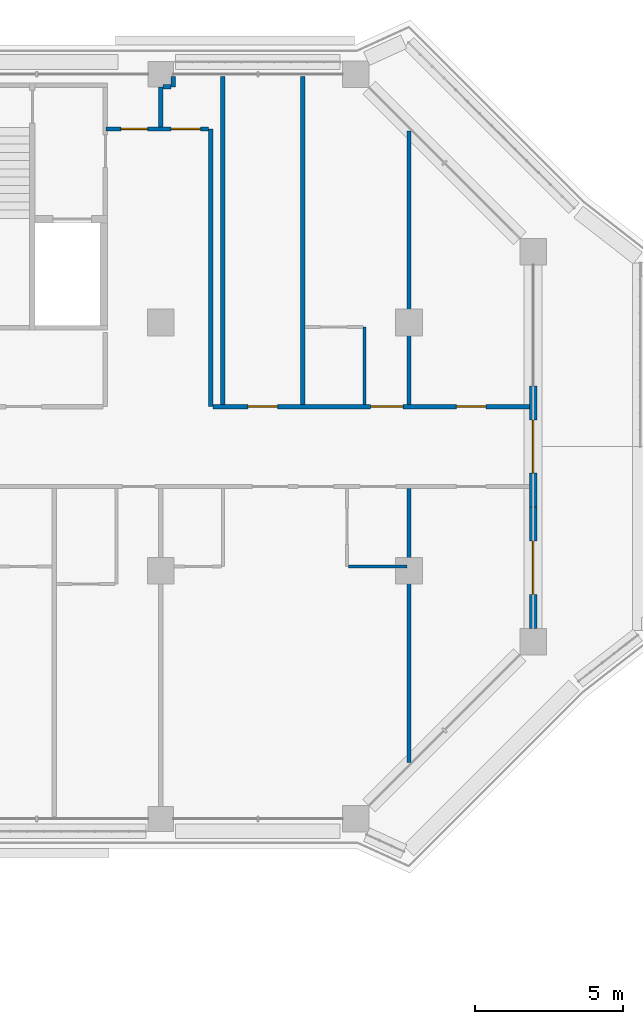
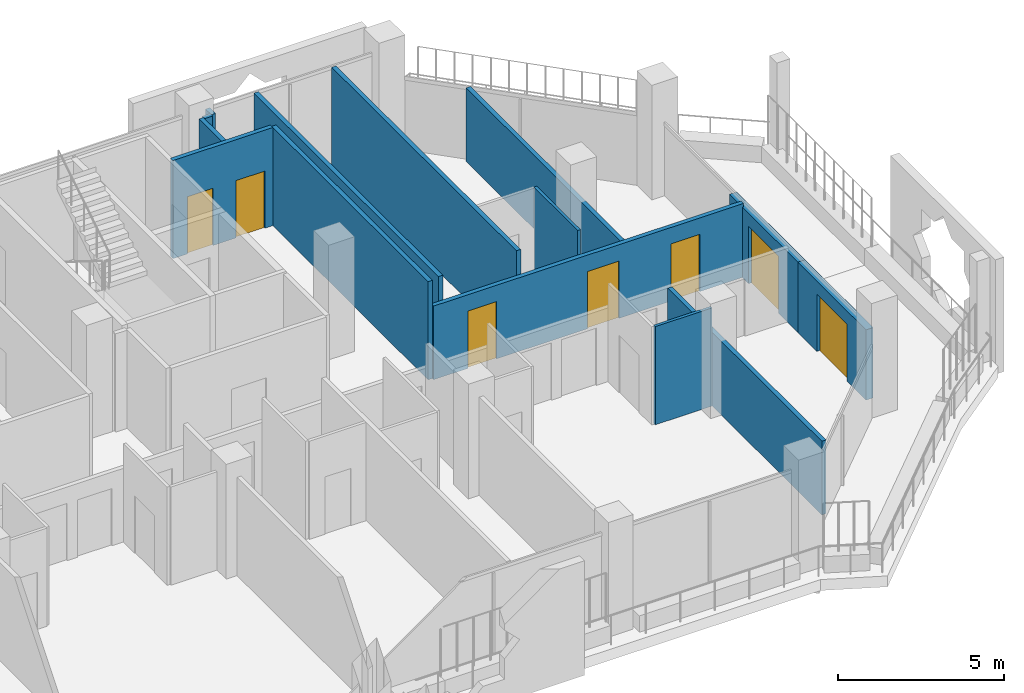
# One storey, part 14 of 23: 14 walls, 7 doors, 7 openings.
"""IFC4 building model written with IfcOpenShell, lengths in metres."""

from ifc_helpers import new_model, si_unit, direction, frame, frame_2d, origin, place, context, subcontext, project, spatial, rectangle, extrude, material, layer, layer_set, type_object, element, fill, save


model = new_model("IFC4")

# Units and contexts
model_context = context("Model", 3, precision=1e-05, world=origin(), true_north=direction((0.0, 1.0)))
body_context = subcontext(model_context, "Body", "Model", "MODEL_VIEW")
ifc_project = project(units=[si_unit("LENGTHUNIT", "METRE"), si_unit("AREAUNIT", "SQUARE_METRE"), si_unit("VOLUMEUNIT", "CUBIC_METRE"), si_unit("PLANEANGLEUNIT", "RADIAN"), si_unit("MASSUNIT", "GRAM", prefix="KILO")], contexts=[model_context])

# Site, building, storey
site_placement = place(None, origin())
site = spatial("IfcSite", under=ifc_project, at=site_placement, CompositionType="ELEMENT")
building_placement = place(site_placement, origin())
building = spatial("IfcBuilding", under=site, at=building_placement, Name="Kawkab Arch Medical Tower", CompositionType="ELEMENT")
storey_placement = place(building_placement, frame((0.0, 0.0, 247.39990234375)))
storey = spatial("IfcBuildingStorey", under=building, at=storey_placement, Name="L57", CompositionType="ELEMENT", Elevation=247.39990234375)

# Wall, opening, door
ifc_material_1 = material(Name="Bronze clad insulated wall panel")
ifc_layer_1 = layer(ifc_material_1, 0.25)
ifc_layer_set_1 = layer_set([ifc_layer_1], Name="Bronze clad insulated wall panel")
wall_type_1 = type_object("IfcWallType", Name="External wall bay 250", PredefinedType="SOLIDWALL", material=ifc_layer_set_1)
wall_1_placement = place(storey_placement, frame((63.0, -18.75, 0.0), z_axis=(0.0, 0.0, 1.0), x_axis=(0.0, 1.0, 0.0)))
wall_1 = element("IfcWall", 1, at=wall_1_placement, inside=storey, type_object=wall_type_1, Name="External wall bay L57.R09.1.1", PredefinedType="SOLIDWALL", context=body_context, shape_type="SweptSolid", body=[
    extrude(rectangle(XDim=4.10009765625, YDim=0.25, at=frame_2d((2.050048828125, 0.0))), origin(), (0.0, 0.0, 1.0), 2.580078125),
])
opening_1_placement = place(wall_1_placement, frame((1.14990234375, 0.0, 0.0)))
opening_1 = element("IfcOpeningElement", 2, at=opening_1_placement, cuts=wall_1, Name="Opening W57-702", PredefinedType="OPENING", context=body_context, shape_type="SweptSolid", body=[
    extrude(rectangle(XDim=1.800048828125, YDim=2.10009765625, at=frame_2d((0.89990234375, 1.050048828125))), frame((0.0, 0.135009765625, 0.0), z_axis=(0.0, -1.0, 0.0), x_axis=(1.0, 0.0, 0.0)), (0.0, 0.0, 1.0), 0.27001953125),
])
ifc_material_2 = material(Name="Bronze anodised aluminium door with tinted glass", Category="aluminium")
door_type_1 = type_object("IfcDoorType", Name="Double external door 1800 x 2100", OperationType="DOUBLE_DOOR_SINGLE_SWING", PredefinedType="DOOR", material=ifc_material_2)
door_1_placement = place(opening_1_placement, origin())
door_1 = element("IfcDoor", 3, at=door_1_placement, inside=storey, type_object=door_type_1, Name="External door L57.R09.1.1", OperationType="DOUBLE_DOOR_SINGLE_SWING", OverallHeight=2.10009765625, OverallWidth=1.800048828125, PredefinedType="DOOR", context=body_context, shape_type="SweptSolid", body=[
    extrude(rectangle(XDim=1.800048828125, YDim=2.10009765625, at=frame_2d((0.89990234375, 1.050048828125))), frame((0.0, 0.02490234375, 0.0), z_axis=(0.0, -1.0, 0.0), x_axis=(1.0, 0.0, 0.0)), (0.0, 0.0, 1.0), 0.050048828125),
])
fill(opening_1, door_1)

wall_2_placement = place(storey_placement, frame((63.0, -14.64990234375, 0.0), z_axis=(0.0, 0.0, 1.0), x_axis=(0.0, 1.0, 0.0)))
wall_2 = element("IfcWall", 4, at=wall_2_placement, inside=storey, type_object=wall_type_1, Name="External wall bay L57.R09.1.2", PredefinedType="SOLIDWALL", context=body_context, shape_type="SweptSolid", body=[
    extrude(rectangle(XDim=4.099853515625, YDim=0.25, at=frame_2d((2.0498046875, 0.0))), origin(), (0.0, 0.0, 1.0), 2.580078125),
])
opening_2_placement = place(wall_2_placement, frame((1.14990234375, 0.0, 0.0)))
opening_2 = element("IfcOpeningElement", 5, at=opening_2_placement, cuts=wall_2, Name="Opening W57-702", PredefinedType="OPENING", context=body_context, shape_type="SweptSolid", body=[
    extrude(rectangle(XDim=1.800048828125, YDim=2.10009765625, at=frame_2d((0.89990234375, 1.050048828125))), frame((0.0, 0.135009765625, 0.0), z_axis=(0.0, -1.0, 0.0), x_axis=(1.0, 0.0, 0.0)), (0.0, 0.0, 1.0), 0.27001953125),
])
door_2_placement = place(opening_2_placement, origin())
door_2 = element("IfcDoor", 6, at=door_2_placement, inside=storey, type_object=door_type_1, Name="External door L57.R09.1.2", OperationType="DOUBLE_DOOR_SINGLE_SWING", OverallHeight=2.10009765625, OverallWidth=1.800048828125, PredefinedType="DOOR", context=body_context, shape_type="SweptSolid", body=[
    extrude(rectangle(XDim=1.800048828125, YDim=2.10009765625, at=frame_2d((0.89990234375, 1.050048828125))), frame((0.0, 0.02490234375, 0.0), z_axis=(0.0, -1.0, 0.0), x_axis=(1.0, 0.0, 0.0)), (0.0, 0.0, 1.0), 0.050048828125),
])
fill(opening_2, door_2)

# Walls
ifc_material_3 = material(Name="Gypsum board partition on steel studs", Category="steel")
ifc_layer_2 = layer(ifc_material_3, 0.10009765625)
ifc_layer_set_2 = layer_set([ifc_layer_2], Name="Gypsum board partition on steel studs")
wall_type_2 = type_object("IfcWallType", Name="Partition 100", PredefinedType="PARTITIONING", material=ifc_layer_set_2)
wall_3_placement = place(storey_placement, frame((56.75, -16.64990234375, 0.0), z_axis=(0.0, 0.0, 1.0), x_axis=(1.0, 0.0, 0.0)))
element("IfcWall", 7, at=wall_3_placement, inside=storey, type_object=wall_type_2, Name="Partition 100 w006", PredefinedType="PARTITIONING", context=body_context, shape_type="SweptSolid", body=[
    extrude(rectangle(XDim=1.97509765625, YDim=0.10009765625, at=frame_2d((0.987548828125, 0.0))), origin(), (0.0, 0.0, 1.0), 3.60009765625),
])
wall_4_placement = place(storey_placement, frame((57.300048828125, -11.175048828125, 0.0), z_axis=(0.0, 0.0, 1.0), x_axis=(0.0, 1.0, 0.0)))
element("IfcWall", 8, at=wall_4_placement, inside=storey, type_object=wall_type_2, Name="Partition 100 w018", PredefinedType="PARTITIONING", context=body_context, shape_type="SweptSolid", body=[
    extrude(rectangle(XDim=2.625, YDim=0.10009765625, at=frame_2d((1.3125, 0.0))), origin(), (0.0, 0.0, 1.0), 3.60009765625),
])

# Wall, openings, doors
ifc_material_4 = material(Name="Gypsum board partition on steel studs, mineral wool", Category="steel")
ifc_layer_3 = layer(ifc_material_4, 0.14990234375)
ifc_layer_set_3 = layer_set([ifc_layer_3], Name="Gypsum board partition on steel studs, mineral wool")
wall_type_3 = type_object("IfcWallType", Name="Partition 150", PredefinedType="PARTITIONING", material=ifc_layer_set_3)
wall_5_placement = place(storey_placement, frame((52.16796875, -11.25, 0.0), z_axis=(0.0, 0.0, 1.0), x_axis=(1.0, 0.0, 0.0)))
wall_5 = element("IfcWall", 9, at=wall_5_placement, inside=storey, type_object=wall_type_3, Name="Partition 150 w036", PredefinedType="PARTITIONING", context=body_context, shape_type="SweptSolid", body=[
    extrude(rectangle(XDim=10.751953125, YDim=0.14990234375, at=frame_2d((5.3759765625, 0.0))), origin(), (0.0, 0.0, 1.0), 2.7001953125),
])
opening_3_placement = place(wall_5_placement, frame((5.33203125, 0.0, 0.0)))
opening_3 = element("IfcOpeningElement", 10, at=opening_3_placement, cuts=wall_5, Name="Opening W57-019", PredefinedType="OPENING", context=body_context, shape_type="SweptSolid", body=[
    extrude(rectangle(XDim=1.10009765625, YDim=2.10009765625, at=frame_2d((0.550048828125, 1.050048828125))), frame((0.0, 0.0849609375, 0.0), z_axis=(0.0, -1.0, 0.0), x_axis=(1.0, 0.0, 0.0)), (0.0, 0.0, 1.0), 0.169921875),
])
opening_4_placement = place(wall_5_placement, frame((8.23193359375, 0.0, 0.0)))
opening_4 = element("IfcOpeningElement", 11, at=opening_4_placement, cuts=wall_5, Name="Opening W57-011", PredefinedType="OPENING", context=body_context, shape_type="SweptSolid", body=[
    extrude(rectangle(XDim=1.0, YDim=2.10009765625, at=frame_2d((0.5, 1.050048828125))), frame((0.0, 0.0849609375, 0.0), z_axis=(0.0, -1.0, 0.0), x_axis=(1.0, 0.0, 0.0)), (0.0, 0.0, 1.0), 0.169921875),
])
opening_5_placement = place(wall_5_placement, frame((1.181884765625, 0.0, 0.0)))
opening_5 = element("IfcOpeningElement", 12, at=opening_5_placement, cuts=wall_5, Name="Opening W57-018", PredefinedType="OPENING", context=body_context, shape_type="SweptSolid", body=[
    extrude(rectangle(XDim=1.0, YDim=2.10009765625, at=frame_2d((0.5, 1.050048828125))), frame((0.0, 0.0849609375, 0.0), z_axis=(0.0, -1.0, 0.0), x_axis=(1.0, 0.0, 0.0)), (0.0, 0.0, 1.0), 0.169921875),
])
ifc_material_5 = material(Name="Hollow metal door leaf")
door_type_2 = type_object("IfcDoorType", Name="Single door 1000x2100 FD30S", OperationType="NOTDEFINED", PredefinedType="DOOR", material=ifc_material_5)
door_3_placement = place(opening_4_placement, origin())
door_3 = element("IfcDoor", 13, at=door_3_placement, inside=storey, type_object=door_type_2, Name="Door W57-011", OperationType="SINGLE_SWING_RIGHT", OverallHeight=2.10009765625, OverallWidth=1.0, PredefinedType="DOOR", context=body_context, shape_type="SweptSolid", body=[
    extrude(rectangle(XDim=1.0, YDim=2.10009765625, at=frame_2d((0.5, 1.050048828125))), frame((0.0, 0.02490234375, 0.0), z_axis=(0.0, -1.0, 0.0), x_axis=(1.0, 0.0, 0.0)), (0.0, 0.0, 1.0), 0.050048828125),
])
fill(opening_4, door_3)
door_4_placement = place(opening_5_placement, origin())
door_4 = element("IfcDoor", 14, at=door_4_placement, inside=storey, type_object=door_type_2, Name="Door W57-018", OperationType="SINGLE_SWING_LEFT", OverallHeight=2.10009765625, OverallWidth=1.0, PredefinedType="DOOR", context=body_context, shape_type="SweptSolid", body=[
    extrude(rectangle(XDim=1.0, YDim=2.10009765625, at=frame_2d((0.5, 1.050048828125))), frame((0.0, 0.02490234375, 0.0), z_axis=(0.0, -1.0, 0.0), x_axis=(1.0, 0.0, 0.0)), (0.0, 0.0, 1.0), 0.050048828125),
])
fill(opening_5, door_4)
ifc_material_6 = material(Name="Hollow metal door leaf")
door_type_3 = type_object("IfcDoorType", Name="Single door 1100x2100 FD30S", OperationType="NOTDEFINED", PredefinedType="DOOR", material=ifc_material_6)
door_5_placement = place(opening_3_placement, origin())
door_5 = element("IfcDoor", 15, at=door_5_placement, inside=storey, type_object=door_type_3, Name="Door W57-019", OperationType="SINGLE_SWING_RIGHT", OverallHeight=2.10009765625, OverallWidth=1.10009765625, PredefinedType="DOOR", context=body_context, shape_type="SweptSolid", body=[
    extrude(rectangle(XDim=1.10009765625, YDim=2.10009765625, at=frame_2d((0.550048828125, 1.050048828125))), frame((0.0, 0.02490234375, 0.0), z_axis=(0.0, -1.0, 0.0), x_axis=(1.0, 0.0, 0.0)), (0.0, 0.0, 1.0), 0.050048828125),
])
fill(opening_3, door_5)

wall_6_placement = place(storey_placement, frame((48.550048828125, -1.85009765625, 0.0), z_axis=(0.0, 0.0, 1.0), x_axis=(1.0, 0.0, 0.0)))
wall_6 = element("IfcWall", 16, at=wall_6_placement, inside=storey, type_object=wall_type_3, Name="Partition 150 w040", PredefinedType="PARTITIONING", context=body_context, shape_type="SweptSolid", body=[
    extrude(rectangle(XDim=3.466064453125, YDim=0.14990234375, at=frame_2d((1.73291015625, 0.0))), origin(), (0.0, 0.0, 1.0), 3.60009765625),
])
opening_6_placement = place(wall_6_placement, frame((0.5, 0.0, 0.0)))
opening_6 = element("IfcOpeningElement", 17, at=opening_6_placement, cuts=wall_6, Name="Opening W57-008", PredefinedType="OPENING", context=body_context, shape_type="SweptSolid", body=[
    extrude(rectangle(XDim=0.89990234375, YDim=2.10009765625, at=frame_2d((0.449951171875, 1.050048828125))), frame((0.0, 0.0849609375, 0.0), z_axis=(0.0, -1.0, 0.0), x_axis=(1.0, 0.0, 0.0)), (0.0, 0.0, 1.0), 0.169921875),
])
opening_7_placement = place(wall_6_placement, frame((2.196044921875, 0.0, 0.0)))
opening_7 = element("IfcOpeningElement", 18, at=opening_7_placement, cuts=wall_6, Name="Opening W57-009", PredefinedType="OPENING", context=body_context, shape_type="SweptSolid", body=[
    extrude(rectangle(XDim=1.0, YDim=2.10009765625, at=frame_2d((0.5, 1.050048828125))), frame((0.0, 0.0849609375, 0.0), z_axis=(0.0, -1.0, 0.0), x_axis=(1.0, 0.0, 0.0)), (0.0, 0.0, 1.0), 0.169921875),
])
ifc_material_7 = material(Name="Timber door leaf", Category="wood")
door_type_4 = type_object("IfcDoorType", Name="Single door 1000x2100", OperationType="NOTDEFINED", PredefinedType="DOOR", material=ifc_material_7)
door_6_placement = place(opening_7_placement, origin())
door_6 = element("IfcDoor", 19, at=door_6_placement, inside=storey, type_object=door_type_4, Name="Door W57-009", OperationType="SINGLE_SWING_RIGHT", OverallHeight=2.10009765625, OverallWidth=1.0, PredefinedType="DOOR", context=body_context, shape_type="SweptSolid", body=[
    extrude(rectangle(XDim=1.0, YDim=2.10009765625, at=frame_2d((0.5, 1.050048828125))), frame((0.0, 0.02490234375, 0.0), z_axis=(0.0, -1.0, 0.0), x_axis=(1.0, 0.0, 0.0)), (0.0, 0.0, 1.0), 0.050048828125),
])
fill(opening_7, door_6)
ifc_material_8 = material(Name="Timber door leaf", Category="wood")
door_type_5 = type_object("IfcDoorType", Name="Single door 900x2100", OperationType="NOTDEFINED", PredefinedType="DOOR", material=ifc_material_8)
door_7_placement = place(opening_6_placement, origin())
door_7 = element("IfcDoor", 20, at=door_7_placement, inside=storey, type_object=door_type_5, Name="Door W57-008", OperationType="SINGLE_SWING_LEFT", OverallHeight=2.10009765625, OverallWidth=0.89990234375, PredefinedType="DOOR", context=body_context, shape_type="SweptSolid", body=[
    extrude(rectangle(XDim=0.89990234375, YDim=2.10009765625, at=frame_2d((0.449951171875, 1.050048828125))), frame((0.0, 0.02490234375, 0.0), z_axis=(0.0, -1.0, 0.0), x_axis=(1.0, 0.0, 0.0)), (0.0, 0.0, 1.0), 0.050048828125),
])
fill(opening_6, door_7)

# Walls
wall_7_placement = place(storey_placement, frame((50.47705078125, -0.425048828125, 0.0), z_axis=(0.0, 0.0, 1.0), x_axis=(1.0, 0.0, 0.0)))
element("IfcWall", 21, at=wall_7_placement, inside=storey, type_object=wall_type_3, Name="Partition 150 w041", PredefinedType="PARTITIONING", context=body_context, shape_type="SweptSolid", body=[
    extrude(rectangle(XDim=0.27294921875, YDim=0.14990234375, at=frame_2d((0.136474609375, 0.0))), origin(), (0.0, 0.0, 1.0), 3.60009765625),
])
wall_8_placement = place(storey_placement, frame((50.39990234375, -1.77490234375, 0.0), z_axis=(0.0, 0.0, 1.0), x_axis=(0.0, 1.0, 0.0)))
element("IfcWall", 22, at=wall_8_placement, inside=storey, type_object=wall_type_3, Name="Partition 150 w068", PredefinedType="PARTITIONING", context=body_context, shape_type="SweptSolid", body=[
    extrude(rectangle(XDim=1.347900390625, YDim=0.14990234375, at=frame_2d((0.673828125, 0.0))), origin(), (0.0, 0.0, 1.0), 3.60009765625),
])
wall_9_placement = place(storey_placement, frame((50.824951171875, -0.425048828125, 0.0), z_axis=(0.0, 0.0, 1.0), x_axis=(0.0, 1.0, 0.0)))
element("IfcWall", 23, at=wall_9_placement, inside=storey, type_object=wall_type_3, Name="Partition 150 w069", PredefinedType="PARTITIONING", context=body_context, shape_type="SweptSolid", body=[
    extrude(rectangle(XDim=0.344970703125, YDim=0.14990234375, at=frame_2d((0.17236328125, 0.0))), origin(), (0.0, 0.0, 1.0), 3.60009765625),
])
wall_10_placement = place(storey_placement, frame((52.093017578125, -11.25, 0.0), z_axis=(0.0, 0.0, 1.0), x_axis=(0.0, 1.0, 0.0)))
element("IfcWall", 24, at=wall_10_placement, inside=storey, type_object=wall_type_3, Name="Partition 150 w070", PredefinedType="PARTITIONING", context=body_context, shape_type="SweptSolid", body=[
    extrude(rectangle(XDim=9.39892578125, YDim=0.14990234375, at=frame_2d((4.699462890625, 0.0))), origin(), (0.0, 0.0, 1.0), 3.60009765625),
])
for number, where, z_axis, x_axis, name in (
    (25, (52.5, -11.175048828125, 0.0), (0.0, 0.0, 1.0), (0.0, 1.0, 0.0), "Partition 150 w071"),
    (26, (55.199951171875, -11.175048828125, 0.0), (0.0, 0.0, 1.0), (0.0, 1.0, 0.0), "Partition 150 w072"),
):
    element("IfcWall", number, at=place(storey_placement, frame(where, z_axis=z_axis, x_axis=x_axis)), inside=storey, type_object=wall_type_3, Name=name, PredefinedType="PARTITIONING", context=body_context, shape_type="SweptSolid", body=[
        extrude(rectangle(XDim=11.094970703125, YDim=0.14990234375, at=frame_2d((5.54736328125, 0.0))), origin(), (0.0, 0.0, 1.0), 3.60009765625),
    ])
wall_11_placement = place(storey_placement, frame((58.800048828125, -23.287109375, 0.0), z_axis=(0.0, 0.0, 1.0), x_axis=(0.0, 1.0, 0.0)))
element("IfcWall", 27, at=wall_11_placement, inside=storey, type_object=wall_type_3, Name="Partition 150 w073", PredefinedType="PARTITIONING", context=body_context, shape_type="SweptSolid", body=[
    extrude(rectangle(XDim=9.26220703125, YDim=0.14990234375, at=frame_2d((4.631103515625, 0.0))), origin(), (0.0, 0.0, 1.0), 2.7001953125),
])
wall_12_placement = place(storey_placement, frame((58.800048828125, -11.175048828125, 0.0), z_axis=(0.0, 0.0, 1.0), x_axis=(0.0, 1.0, 0.0)))
element("IfcWall", 28, at=wall_12_placement, inside=storey, type_object=wall_type_3, Name="Partition 150 w074", PredefinedType="PARTITIONING", context=body_context, shape_type="SweptSolid", body=[
    extrude(rectangle(XDim=9.261962890625, YDim=0.14990234375, at=frame_2d((4.630859375, 0.0))), origin(), (0.0, 0.0, 1.0), 2.7001953125),
])

save(model, "model.ifc")
